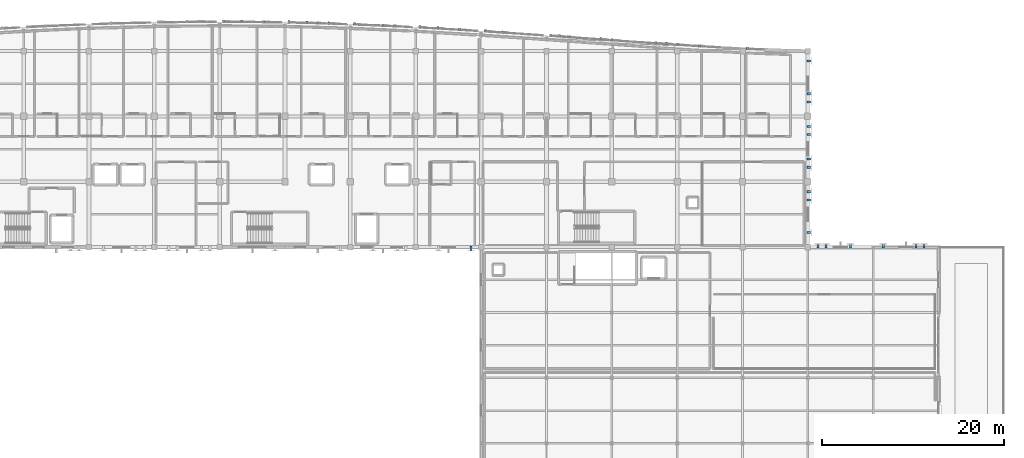
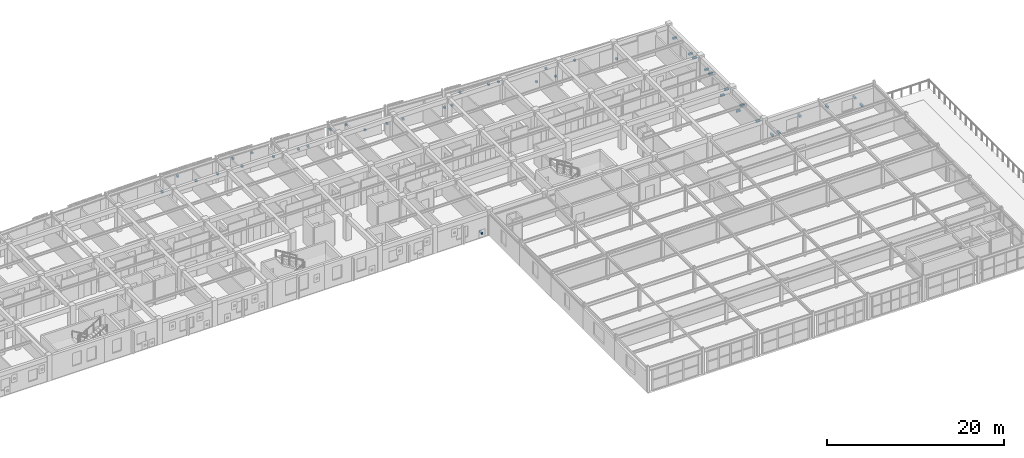
# One storey, part 69 of 73: 42 discrete accessories.
"""IFC4 building model written with IfcOpenShell, lengths in metres."""

from ifc_helpers import new_model, si_unit, direction, frame, origin, origin_2d, place, context, subcontext, project, spatial, rectangle, extrude, material, type_object, element, save


model = new_model("IFC4")

# Units and contexts
model_context = context("Model", 3, precision=1e-05, world=origin(), true_north=direction((0.0, 1.0)))
body_context = subcontext(model_context, "Body", "Model", "MODEL_VIEW")
ifc_project = project(units=[si_unit("LENGTHUNIT", "METRE"), si_unit("AREAUNIT", "SQUARE_METRE"), si_unit("VOLUMEUNIT", "CUBIC_METRE"), si_unit("PLANEANGLEUNIT", "RADIAN"), si_unit("MASSUNIT", "GRAM", prefix="KILO")], contexts=[model_context])

# Site, building, storey
site_placement = place(None, origin())
site = spatial("IfcSite", under=ifc_project, at=site_placement, CompositionType="ELEMENT")
building_placement = place(site_placement, origin())
building = spatial("IfcBuilding", under=site, at=building_placement, Name="Carrowvane Square Congress Hotel", CompositionType="ELEMENT")
storey_placement = place(building_placement, frame((0.0, 0.0, 19.199951171875)))
storey = spatial("IfcBuildingStorey", under=building, at=storey_placement, Name="L04", CompositionType="ELEMENT", Elevation=19.199951171875)

# Discrete accessories
ifc_material = material(Name="Stainless steel 316", Category="steel")
discrete_accessory_type = type_object("IfcDiscreteAccessoryType", Name="ACC-BRK-SS", PredefinedType="BRACKET", material=ifc_material)
for number, where, z_axis, x_axis, name in (
    (1, (98.4150390625, 116.6787109375, 0.56005859375), (0.0, 0.0, 1.0), (0.999994654955, -0.003269565853, 0.0), "Pixel screen mullion bracket 324"),
    (2, (100.435791015625, 116.671875, 2.0302734375), (0.0, 0.0, 1.0), (0.999952150705, -0.009782448565, 0.0), "Pixel screen mullion bracket 325"),
    (3, (102.831298828125, 116.648193359375, 0.56005859375), (0.0, 0.0, 1.0), (0.999868508772, -0.016216200758, 0.0), "Pixel screen mullion bracket 326"),
    (4, (105.629150390625, 116.60009765625, 0.56005859375), (0.0, 0.0, 1.0), (0.999746418061, -0.022518871507, 0.0), "Pixel screen mullion bracket 327"),
    (5, (107.63232421875, 116.5546875, 2.0302734375), (0.0, 0.0, 1.0), (0.999589805464, -0.028639497417, 0.0), "Pixel screen mullion bracket 328"),
    (6, (108.80224609375, 116.521240234375, 0.56005859375), (0.0, 0.0, 1.0), (0.999589805464, -0.028639497417, 0.0), "Pixel screen mullion bracket 329"),
    (7, (110.037841796875, 116.485595703125, 2.0302734375), (0.0, 0.0, 1.0), (0.999403768784, -0.034526901703, 0.0), "Pixel screen mullion bracket 330"),
    (8, (112.83203125, 116.38671875, 0.56005859375), (0.0, 0.0, 1.0), (0.999194294234, -0.040134304148, 0.0), "Pixel screen mullion bracket 331"),
    (9, (116.003662109375, 116.2529296875, 0.56005859375), (0.0, 0.0, 1.0), (0.998968255262, -0.045413929349, 0.0), "Pixel screen mullion bracket 332"),
    (10, (117.23388671875, 116.197021484375, 0.56005859375), (0.0, 0.0, 1.0), (0.998733066647, -0.050321581706, 0.0), "Pixel screen mullion bracket 333"),
    (11, (120.043701171875, 116.05322265625, 2.0302734375), (0.0, 0.0, 1.0), (0.998496552462, -0.054814548441, 0.0), "Pixel screen mullion bracket 334"),
    (12, (122.03466796875, 115.94384765625, 2.0302734375), (0.0, 0.0, 1.0), (0.998266695506, -0.05885239709, 0.0), "Pixel screen mullion bracket 335"),
    (13, (124.43994140625, 115.802001953125, 0.56005859375), (0.0, 0.0, 1.0), (0.998051413269, -0.062396926785, 0.0), "Pixel screen mullion bracket 336"),
    (14, (127.24365234375, 115.62548828125, 0.56005859375), (0.0, 0.0, 1.0), (0.99785825325, -0.065413350476, 0.0), "Pixel screen mullion bracket 337"),
    (15, (129.240234375, 115.494384765625, 0.56005859375), (0.0, 0.0, 1.0), (0.9976944394, -0.067866085713, 0.0), "Pixel screen mullion bracket 338"),
    (16, (134.451171875, 115.134033203125, 0.56005859375), (0.0, 0.0, 1.0), (0.997479379392, -0.070956942496, 0.0), "Pixel screen mullion bracket 339"),
    (17, (135.410888671875, 115.065673828125, 0.56005859375), (0.0, 0.0, 1.0), (0.997479379392, -0.070956942496, 0.0), "Pixel screen mullion bracket 340"),
    (18, (136.435546875, 114.992919921875, 2.0302734375), (0.0, 0.0, 1.0), (0.997438267187, -0.071532532122, 0.0), "Pixel screen mullion bracket 341"),
    (19, (140.005615234375, 114.737060546875, 2.0302734375), (0.0, 0.0, 1.0), (0.997446326449, -0.071420066188, 0.0), "Pixel screen mullion bracket 342"),
    (20, (141.235595703125, 114.64892578125, 2.0302734375), (0.0, 0.0, 1.0), (0.997505756275, -0.070585169822, 0.0), "Pixel screen mullion bracket 343"),
    (21, (146.03515625, 114.313232421875, 0.56005859375), (0.0, 0.0, 1.0), (0.997781458784, -0.066574473385, 0.0), "Pixel screen mullion bracket 344"),
    (22, (147.205322265625, 114.2353515625, 2.0302734375), (0.0, 0.0, 1.0), (0.997781458784, -0.066574473385, 0.0), "Pixel screen mullion bracket 345"),
    (23, (148.43994140625, 114.153076171875, 0.56005859375), (0.0, 0.0, 1.0), (0.997996022269, -0.063276690295, 0.0), "Pixel screen mullion bracket 346"),
    (24, (150.834716796875, 114.001220703125, 2.0302734375), (0.0, 0.0, 1.0), (0.998258866948, -0.05898503675, 0.0), "Pixel screen mullion bracket 347"),
    (25, (156.122314453125, 113.70849609375, 0.56005859375), (0.0, 0.0, 1.0), (0.99891730083, -0.046521243556, 0.0), "Pixel screen mullion bracket 348"),
):
    element("IfcDiscreteAccessory", number, at=place(storey_placement, frame(where, z_axis=z_axis, x_axis=x_axis)), inside=storey, type_object=discrete_accessory_type, Name=name, PredefinedType="BRACKET", context=body_context, shape_type="SweptSolid", body=[
        extrude(rectangle(XDim=0.239990234375, YDim=0.280029296875, at=origin_2d()), origin(), (0.0, 0.0, 1.0), 0.239990234375),
    ])
for number, where, z_axis, x_axis, name in (
    (26, (162.93994140625, 112.300048828125, 1.9150390625), (0.0, 0.0, 1.0), (0.0, -1.0, 0.0), "V5 pixel screen bracket 349"),
    (27, (162.93994140625, 108.699951171875, 1.9150390625), (0.0, 0.0, 1.0), (0.0, -1.0, 0.0), "V5 pixel screen bracket 350"),
    (28, (162.93994140625, 107.800048828125, 1.9150390625), (0.0, 0.0, 1.0), (0.0, -1.0, 0.0), "V5 pixel screen bracket 351"),
    (29, (162.93994140625, 105.10009765625, 1.9150390625), (0.0, 0.0, 1.0), (0.0, -1.0, 0.0), "V5 pixel screen bracket 352"),
    (30, (162.93994140625, 104.199951171875, 1.9150390625), (0.0, 0.0, 1.0), (0.0, -1.0, 0.0), "V5 pixel screen bracket 353"),
    (31, (162.93994140625, 101.5, 0.56005859375), (0.0, 0.0, 1.0), (0.0, -1.0, 0.0), "V5 pixel screen bracket 354"),
    (32, (162.93994140625, 100.60009765625, 1.9150390625), (0.0, 0.0, 1.0), (0.0, -1.0, 0.0), "V5 pixel screen bracket 355"),
    (33, (162.93994140625, 97.89990234375, 0.56005859375), (0.0, 0.0, 1.0), (0.0, -1.0, 0.0), "V5 pixel screen bracket 356"),
    (34, (162.93994140625, 97.0, 1.9150390625), (0.0, 0.0, 1.0), (0.0, -1.0, 0.0), "V5 pixel screen bracket 357"),
    (35, (162.93994140625, 93.39990234375, 1.9150390625), (0.0, 0.0, 1.0), (0.0, -1.0, 0.0), "V5 pixel screen bracket 358"),
    (36, (163.89990234375, 91.93994140625, 0.56005859375), (0.0, 0.0, 1.0), (1.0, 0.0, 0.0), "V5 pixel screen bracket 359"),
    (37, (164.800048828125, 91.93994140625, 0.56005859375), (0.0, 0.0, 1.0), (1.0, 0.0, 0.0), "V5 pixel screen bracket 360"),
    (38, (167.5, 91.93994140625, 1.93017578125), (0.0, 0.0, 1.0), (1.0, 0.0, 0.0), "V5 pixel screen bracket 361"),
    (39, (171.10009765625, 91.93994140625, 1.93017578125), (0.0, 0.0, 1.0), (1.0, 0.0, 0.0), "V5 pixel screen bracket 362"),
    (40, (174.699951171875, 91.93994140625, 1.93017578125), (0.0, 0.0, 1.0), (1.0, 0.0, 0.0), "V5 pixel screen bracket 363"),
    (41, (175.60009765625, 91.93994140625, 0.56005859375), (0.0, 0.0, 1.0), (1.0, 0.0, 0.0), "V5 pixel screen bracket 364"),
    (42, (125.699951171875, 91.659912109375, 0.56005859375), (0.0, 0.0, 1.0), (-1.0, 0.0, 0.0), "V5 pixel screen bracket 365"),
):
    element("IfcDiscreteAccessory", number, at=place(storey_placement, frame(where, z_axis=z_axis, x_axis=x_axis)), inside=storey, type_object=discrete_accessory_type, Name=name, PredefinedType="BRACKET", context=body_context, shape_type="SweptSolid", body=[
        extrude(rectangle(XDim=0.239990234375, YDim=0.52001953125, at=origin_2d()), origin(), (0.0, 0.0, 1.0), 0.239990234375),
    ])

save(model, "model.ifc")
